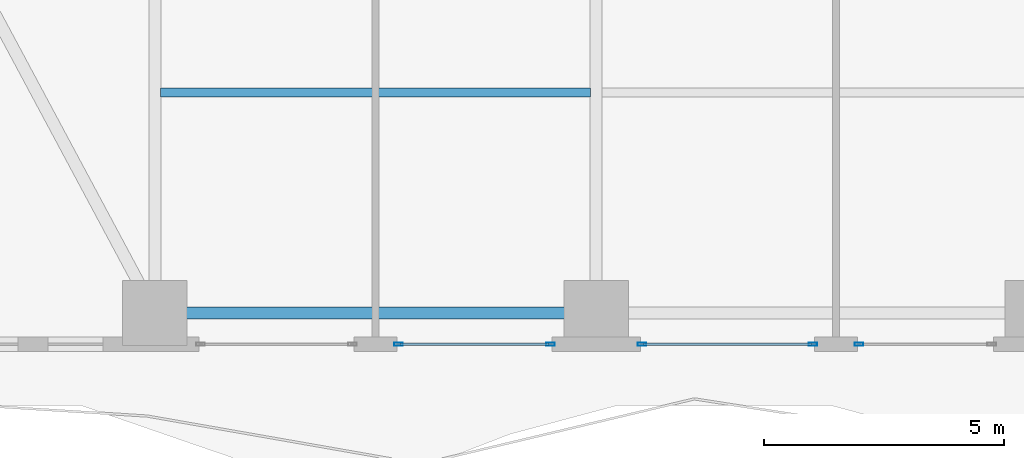
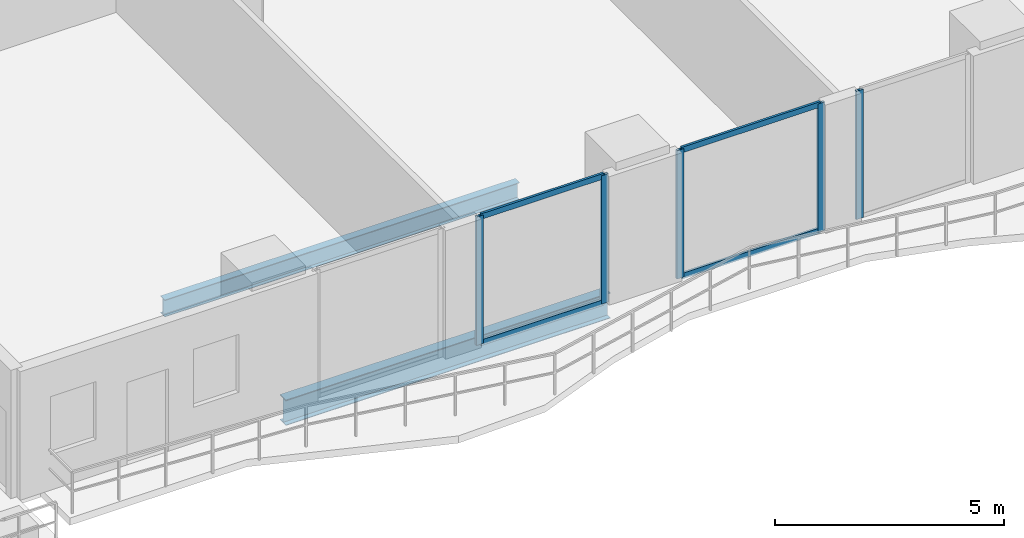
# One storey, part 4 of 27: 9 members, 2 beams, 3 elements without a shape of their own.
"""IFC4 building model written with IfcOpenShell, lengths in metres."""

from ifc_helpers import new_model, si_unit, direction, frame, origin, origin_2d, place, context, subcontext, project, spatial, hollow_rectangle, i_section, extrude, material, layer, layer_set, material_profile, profile_set, type_object, element, aggregate, save


model = new_model("IFC4")

# Units and contexts
model_context = context("Model", 3, precision=1e-05, world=origin(), true_north=direction((0.0, 1.0)))
body_context = subcontext(model_context, "Body", "Model", "MODEL_VIEW")
ifc_project = project(units=[si_unit("LENGTHUNIT", "METRE"), si_unit("AREAUNIT", "SQUARE_METRE"), si_unit("VOLUMEUNIT", "CUBIC_METRE"), si_unit("PLANEANGLEUNIT", "RADIAN"), si_unit("MASSUNIT", "GRAM", prefix="KILO")], contexts=[model_context])

# Site, building, storey
site_placement = place(None, origin())
site = spatial("IfcSite", under=ifc_project, at=site_placement, CompositionType="ELEMENT")
building_placement = place(site_placement, origin())
building = spatial("IfcBuilding", under=site, at=building_placement, Name="Zuhayl Quay Hotel", CompositionType="ELEMENT")
storey_placement = place(building_placement, frame((0.0, 0.0, 117.550048828125)))
storey = spatial("IfcBuildingStorey", under=building, at=storey_placement, Name="L29", CompositionType="ELEMENT", Elevation=117.550048828125)

# Beams
ifc_material_1 = material(Name="Steel ASTM A992 Grade 50", Category="steel")
ifc_material_profile_1 = material_profile(ifc_material_1, i_section(OverallWidth=0.25390625, OverallDepth=0.68310546875, WebThickness=0.012451171875, FlangeThickness=0.018798828125, at=origin_2d()), Name="W27X94")
ifc_profile_set_1 = profile_set([ifc_material_profile_1], Name="Steel ASTM A992 Grade 50")
beam_type_1 = type_object("IfcBeamType", Name="BM_B2_W27X94", PredefinedType="BEAM", material=ifc_profile_set_1)
beam_1_placement = place(storey_placement, frame((-13.300048828125, -14.75, -0.5615234375), z_axis=(1.0, 0.0, 0.0), x_axis=(0.0, 1.0, 0.0)))
element("IfcBeam", 1, at=beam_1_placement, inside=storey, type_object=beam_type_1, Name="L29 Floor Beam RG_L29_01", PredefinedType="BEAM", context=body_context, shape_type="SweptSolid", body=[
    extrude(i_section(OverallWidth=0.25390625, OverallDepth=0.68310546875, WebThickness=0.012451171875, FlangeThickness=0.018798828125, at=origin_2d()), origin(), (0.0, 0.0, 1.0), 8.199951171875),
])
ifc_material_profile_2 = material_profile(ifc_material_1, i_section(OverallWidth=0.18994140625, OverallDepth=0.45703125, WebThickness=0.009033203125, FlangeThickness=0.014404296875, at=origin_2d()), Name="W18X50")
ifc_profile_set_2 = profile_set([ifc_material_profile_2], Name="Steel ASTM A992 Grade 50")
beam_type_2 = type_object("IfcBeamType", Name="BM_J2_W18X50", PredefinedType="JOIST", material=ifc_profile_set_2)
beam_2_placement = place(storey_placement, frame((-13.680908203125, -10.14990234375, -0.448486328125), z_axis=(1.0, 0.0, 0.0), x_axis=(0.0, 1.0, 0.0)))
element("IfcBeam", 2, at=beam_2_placement, inside=storey, type_object=beam_type_2, Name="L29 Floor Beam FJ_L29_5_1", PredefinedType="JOIST", context=body_context, shape_type="SweptSolid", body=[
    extrude(i_section(OverallWidth=0.18994140625, OverallDepth=0.45703125, WebThickness=0.009033203125, FlangeThickness=0.014404296875, at=origin_2d()), origin(), (0.0, 0.0, 1.0), 8.9619140625),
])

# Curtain wall, member
ifc_material_2 = material(Name="Anodised Aluminium 6063-T6", Category="aluminium")
ifc_layer = layer(ifc_material_2, 0.179931640625, Name="Anodised Aluminium 6063-T6", Category="aluminium")
ifc_layer_set = layer_set([ifc_layer], Name="Anodised Aluminium 6063-T6")
curtain_wall_type = type_object("IfcCurtainWallType", Name="CW_SYS_Z2", PredefinedType="USERDEFINED", material=ifc_layer_set)
curtain_wall_1_placement = place(storey_placement, origin())
curtain_wall_1 = element("IfcCurtainWall", 3, at=curtain_wall_1_placement, inside=storey, type_object=curtain_wall_type, Name="L29 Curtain Wall ENV_L29_S_CW4", ObjectType="UNITISED CURTAIN WALL", PredefinedType="USERDEFINED")
ifc_material_3 = material(Name="Black-anodised aluminium 6063-T6", Category="aluminium")
ifc_material_profile_3 = material_profile(ifc_material_3, hollow_rectangle(XDim=0.06494140625, YDim=0.179931640625, WallThickness=0.00341796875, at=origin_2d()), Name="ALU180X65")
ifc_profile_set_3 = profile_set([ifc_material_profile_3], Name="Black-anodised aluminium 6063-T6")
member_type_1 = type_object("IfcMemberType", Name="MB_CW_MUL_180", PredefinedType="MULLION", material=ifc_profile_set_3)
member_1_placement = place(storey_placement, frame((0.882568359375, -15.39990234375, 0.0), z_axis=(0.0, 0.0, 1.0), x_axis=(0.0, -1.0, 0.0)))
member_1 = element("IfcMember", 4, at=member_1_placement, type_object=member_type_1, Name="CW-Z2 mullion 2", PredefinedType="MULLION", context=body_context, shape_type="SweptSolid", body=[
    extrude(hollow_rectangle(XDim=0.06494140625, YDim=0.179931640625, WallThickness=0.00341796875, at=origin_2d()), origin(), (0.0, 0.0, 1.0), 3.429931640625),
])
aggregate(curtain_wall_1, [member_1])

# Curtain wall, members
curtain_wall_2_placement = place(storey_placement, origin())
curtain_wall_2 = element("IfcCurtainWall", 5, at=curtain_wall_2_placement, inside=storey, type_object=curtain_wall_type, Name="L29 Curtain Wall ENV_L29_S_CW5", ObjectType="UNITISED CURTAIN WALL", PredefinedType="USERDEFINED")
member_2_placement = place(storey_placement, frame((-0.08251953125, -15.39990234375, 0.0), z_axis=(0.0, 0.0, 1.0), x_axis=(0.0, -1.0, 0.0)))
member_2 = element("IfcMember", 6, at=member_2_placement, type_object=member_type_1, Name="CW-Z2 mullion 1", PredefinedType="MULLION", context=body_context, shape_type="SweptSolid", body=[
    extrude(hollow_rectangle(XDim=0.06494140625, YDim=0.179931640625, WallThickness=0.00341796875, at=origin_2d()), origin(), (0.0, 0.0, 1.0), 3.429931640625),
])
member_3_placement = place(storey_placement, frame((-3.6474609375, -15.39990234375, 0.0), z_axis=(0.0, 0.0, 1.0), x_axis=(0.0, -1.0, 0.0)))
member_3 = element("IfcMember", 7, at=member_3_placement, type_object=member_type_1, Name="CW-Z2 mullion 2", PredefinedType="MULLION", context=body_context, shape_type="SweptSolid", body=[
    extrude(hollow_rectangle(XDim=0.06494140625, YDim=0.179931640625, WallThickness=0.00341796875, at=origin_2d()), origin(), (0.0, 0.0, 1.0), 3.429931640625),
])

curtain_wall_3_placement = place(storey_placement, origin())
curtain_wall_3 = element("IfcCurtainWall", 8, at=curtain_wall_3_placement, inside=storey, type_object=curtain_wall_type, Name="L29 Curtain Wall ENV_L29_S_CW6", ObjectType="UNITISED CURTAIN WALL", PredefinedType="USERDEFINED")
member_4_placement = place(storey_placement, frame((-5.552490234375, -15.39990234375, 0.0), z_axis=(0.0, 0.0, 1.0), x_axis=(0.0, -1.0, 0.0)))
member_4 = element("IfcMember", 9, at=member_4_placement, type_object=member_type_1, Name="CW-Z2 mullion 1", PredefinedType="MULLION", context=body_context, shape_type="SweptSolid", body=[
    extrude(hollow_rectangle(XDim=0.06494140625, YDim=0.179931640625, WallThickness=0.00341796875, at=origin_2d()), origin(), (0.0, 0.0, 1.0), 3.429931640625),
])
member_5_placement = place(storey_placement, frame((-8.717529296875, -15.39990234375, 0.0), z_axis=(0.0, 0.0, 1.0), x_axis=(0.0, -1.0, 0.0)))
member_5 = element("IfcMember", 10, at=member_5_placement, type_object=member_type_1, Name="CW-Z2 mullion 2", PredefinedType="MULLION", context=body_context, shape_type="SweptSolid", body=[
    extrude(hollow_rectangle(XDim=0.06494140625, YDim=0.179931640625, WallThickness=0.00341796875, at=origin_2d()), origin(), (0.0, 0.0, 1.0), 3.429931640625),
])

# Member
ifc_material_profile_4 = material_profile(ifc_material_3, hollow_rectangle(XDim=0.06005859375, YDim=0.14990234375, WallThickness=0.00341796875, at=origin_2d()), Name="ALU150X60")
ifc_profile_set_4 = profile_set([ifc_material_profile_4], Name="Black-anodised aluminium 6063-T6")
member_type_2 = type_object("IfcMemberType", Name="MB_CW_TRN_150", PredefinedType="USERDEFINED", material=ifc_profile_set_4)
member_6_placement = place(storey_placement, frame((-0.114990234375, -15.39990234375, 0.030029296875), z_axis=(-1.0, 0.0, 0.0), x_axis=(0.0, -1.0, 0.0)))
member_6 = element("IfcMember", 11, at=member_6_placement, type_object=member_type_2, Name="CW-Z2 transom 1.1", ObjectType="TRANSOM", PredefinedType="USERDEFINED", context=body_context, shape_type="SweptSolid", body=[
    extrude(hollow_rectangle(XDim=0.06005859375, YDim=0.14990234375, WallThickness=0.00341796875, at=origin_2d()), origin(), (0.0, 0.0, 1.0), 3.5),
])

member_7_placement = place(storey_placement, frame((-0.114990234375, -15.39990234375, 3.39990234375), z_axis=(-1.0, 0.0, 0.0), x_axis=(0.0, -1.0, 0.0)))
member_7 = element("IfcMember", 12, at=member_7_placement, type_object=member_type_2, Name="CW-Z2 transom 1.2", ObjectType="TRANSOM", PredefinedType="USERDEFINED", context=body_context, shape_type="SweptSolid", body=[
    extrude(hollow_rectangle(XDim=0.06005859375, YDim=0.14990234375, WallThickness=0.00341796875, at=origin_2d()), origin(), (0.0, 0.0, 1.0), 3.5),
])

aggregate(curtain_wall_2, [member_2, member_3, member_6, member_7])

member_8_placement = place(storey_placement, frame((-5.5849609375, -15.39990234375, 0.030029296875), z_axis=(-1.0, 0.0, 0.0), x_axis=(0.0, -1.0, 0.0)))
member_8 = element("IfcMember", 13, at=member_8_placement, type_object=member_type_2, Name="CW-Z2 transom 1.1", ObjectType="TRANSOM", PredefinedType="USERDEFINED", context=body_context, shape_type="SweptSolid", body=[
    extrude(hollow_rectangle(XDim=0.06005859375, YDim=0.14990234375, WallThickness=0.00341796875, at=origin_2d()), origin(), (0.0, 0.0, 1.0), 3.10009765625),
])

member_9_placement = place(storey_placement, frame((-5.5849609375, -15.39990234375, 3.39990234375), z_axis=(-1.0, 0.0, 0.0), x_axis=(0.0, -1.0, 0.0)))
member_9 = element("IfcMember", 14, at=member_9_placement, type_object=member_type_2, Name="CW-Z2 transom 1.2", ObjectType="TRANSOM", PredefinedType="USERDEFINED", context=body_context, shape_type="SweptSolid", body=[
    extrude(hollow_rectangle(XDim=0.06005859375, YDim=0.14990234375, WallThickness=0.00341796875, at=origin_2d()), origin(), (0.0, 0.0, 1.0), 3.10009765625),
])

aggregate(curtain_wall_3, [member_4, member_5, member_8, member_9])

save(model, "model.ifc")
